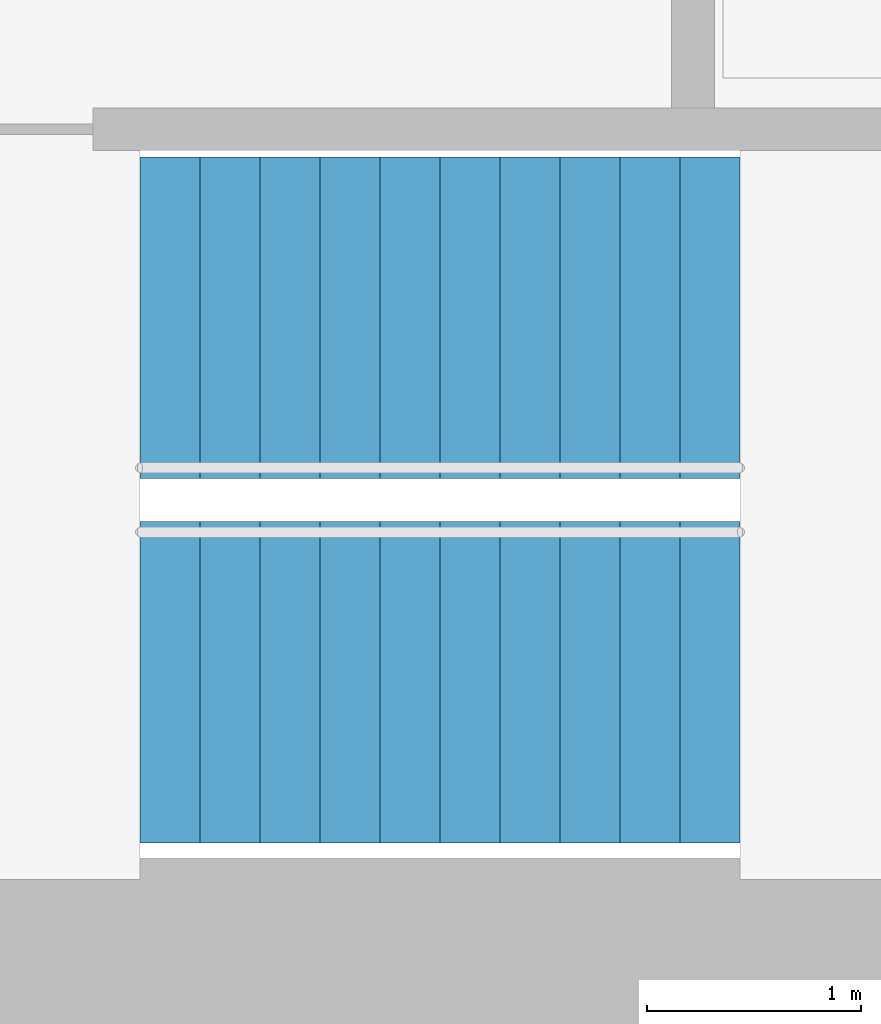
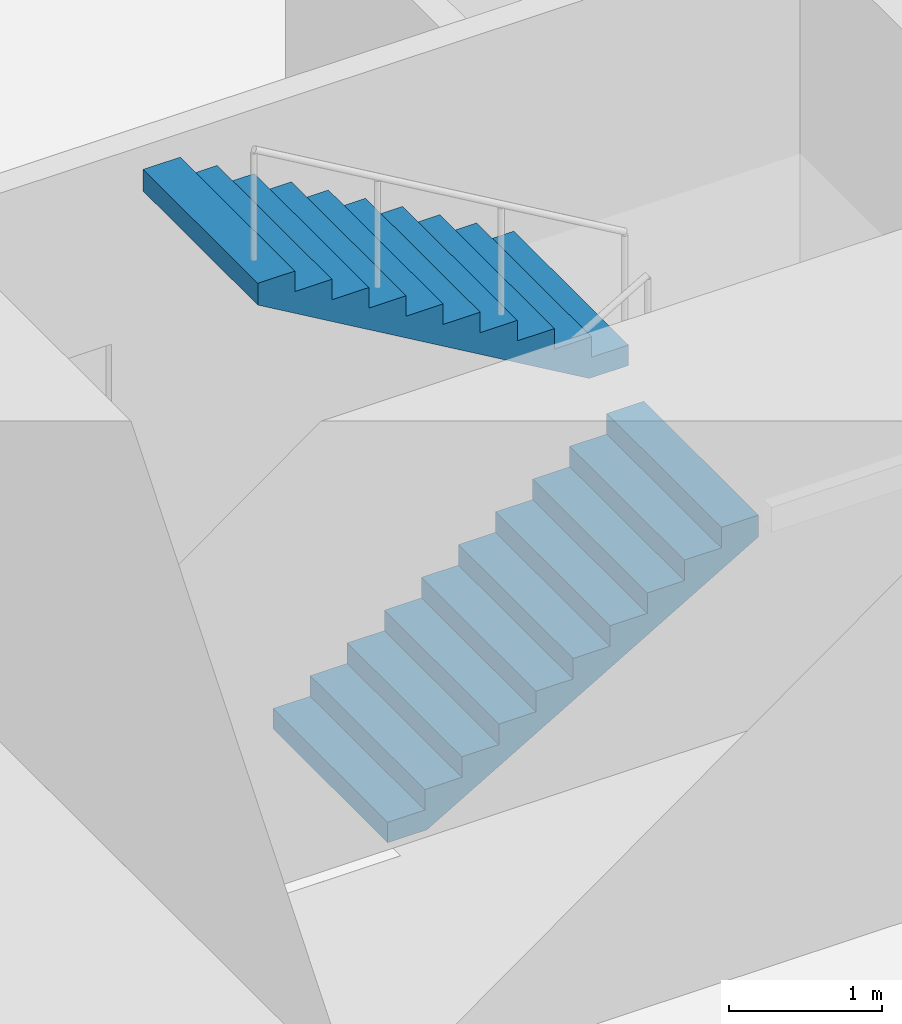
# One storey, part 14 of 17: 2 stair flights, 1 element without a shape of its own.
"""IFC4 building model written with IfcOpenShell, lengths in metres."""

import ifcopenshell
import ifcopenshell.guid

model = None  # the IFC model being written
_history = None  # IfcOwnerHistory: only IFC2X3 demands one
_inside = {}  # id of a spatial element -> (the spatial element, [elements in it])
_under = {}  # id of a project, library or spatial element -> (it, [spatial elements below it])
_declared = {}  # id of a project -> (the project, [libraries it declares])
_typed = {}  # id of a type object -> (the type object, [elements of that type])
_made_of = {}  # id of a material, layer set ... -> (it, [elements and type objects made of it])


def new_model(schema):
    """Start an empty IFC model of exactly this schema.

    Asked for "IFC4X3", IfcOpenShell would pick the latest addendum, in which some entities
    have other attributes; the version numbers below select the first issue.
    IFC2X3 requires an IfcOwnerHistory on every rooted entity: one is made here for all.
    """
    global model, _history
    if schema == "IFC4X3":
        model = ifcopenshell.file(schema_version=(4, 3, 0, 0))
    else:
        model = ifcopenshell.file(schema=schema)
    _inside.clear()
    _under.clear()
    _declared.clear()
    _typed.clear()
    _made_of.clear()
    _history = None
    if model.schema == "IFC2X3":
        org = make("IfcOrganization", Name="unknown")
        user = make(
            "IfcPersonAndOrganization",
            ThePerson=make("IfcPerson", FamilyName="unknown"),
            TheOrganization=org,
        )
        app = make(
            "IfcApplication",
            ApplicationDeveloper=org,
            Version="unknown",
            ApplicationFullName="unknown",
            ApplicationIdentifier="unknown",
        )
        _history = make(
            "IfcOwnerHistory",
            OwningUser=user,
            OwningApplication=app,
            ChangeAction="ADDED",
            CreationDate=0,
        )
    return model


def make(cls, **values):
    """One entity of the class cls with the attributes given. An attribute that is None is left unset."""
    return model.create_entity(
        cls, **{name: value for name, value in values.items() if value is not None}
    )


def rooted(cls, **values):
    """An entity with a GlobalId (a new one), such as an element, a storey or a relation."""
    return make(cls, GlobalId=ifcopenshell.guid.new(), OwnerHistory=_history, **values)


def si_unit(unit_type, name, prefix=None):
    """IfcSIUnit, for example si_unit("LENGTHUNIT", "METRE", prefix="MILLI")."""
    return make("IfcSIUnit", UnitType=unit_type, Prefix=prefix, Name=name)


def assignment(units):
    """IfcUnitAssignment: the units of a project."""
    return None if units is None else make("IfcUnitAssignment", Units=units)


def point(xyz):
    """IfcCartesianPoint."""
    return None if xyz is None else make("IfcCartesianPoint", Coordinates=xyz)


def direction(xyz):
    """IfcDirection."""
    return None if xyz is None else make("IfcDirection", DirectionRatios=xyz)


def frame(location, z_axis=None, x_axis=None):
    """IfcAxis2Placement3D, a coordinate frame: its origin and axes. An axis left out is left unset."""
    return make(
        "IfcAxis2Placement3D",
        Location=point(location),
        Axis=direction(z_axis),
        RefDirection=direction(x_axis),
    )


def origin():
    """The frame at (0, 0, 0) with its axes left unset."""
    return frame((0.0, 0.0, 0.0))


def place(relative_to, where):
    """IfcLocalPlacement: puts the frame where relative to a parent placement (None: the world)."""
    return make(
        "IfcLocalPlacement", PlacementRelTo=relative_to, RelativePlacement=where
    )


def context(
    kind, dimensions, precision=None, world=None, true_north=None, identifier=None
):
    """IfcGeometricRepresentationContext, for example the 3D "Model" context."""
    return make(
        "IfcGeometricRepresentationContext",
        ContextIdentifier=identifier,
        ContextType=kind,
        CoordinateSpaceDimension=dimensions,
        Precision=precision,
        WorldCoordinateSystem=world,
        TrueNorth=true_north,
    )


def subcontext(parent, identifier, kind, view, scale=None):
    """IfcGeometricRepresentationSubContext, for example "Body" below "Model"."""
    return make(
        "IfcGeometricRepresentationSubContext",
        ContextIdentifier=identifier,
        ContextType=kind,
        ParentContext=parent,
        TargetScale=scale,
        TargetView=view,
    )


def project(units=None, contexts=None):
    """IfcProject with its units and contexts."""
    return rooted(
        "IfcProject",
        Name="project",
        RepresentationContexts=contexts,
        UnitsInContext=assignment(units),
    )


def spatial(cls, under=None, at=None, **own):
    """A site, building, storey or space (cls), placed at a placement, below another one or the project."""
    s = rooted(cls, ObjectPlacement=at, **own)
    if under is not None:
        _under.setdefault(under.id(), (under, []))[1].append(s)
    return s


def point_list(points):
    """IfcCartesianPointList2D or 3D."""
    cls = (
        "IfcCartesianPointList2D" if len(points[0]) == 2 else "IfcCartesianPointList3D"
    )
    return make(cls, CoordList=points)


def triangles(points, corners, closed=None, point_numbers=None):
    """IfcTriangulatedFaceSet: each triangle names its three corners, points numbered from 1."""
    return make(
        "IfcTriangulatedFaceSet",
        Coordinates=point_list(points),
        Closed=closed,
        CoordIndex=corners,
        PnIndex=point_numbers,
    )


def shape(context_of_items, identifier, shape_type, items):
    """IfcShapeRepresentation: the items that make up one representation, for example the "Body"."""
    return make(
        "IfcShapeRepresentation",
        ContextOfItems=context_of_items,
        RepresentationIdentifier=identifier,
        RepresentationType=shape_type,
        Items=items,
    )


def material(Name=None, Category=None):
    """IfcMaterial."""
    return make("IfcMaterial", Name=Name, Category=Category)


def made_of(thing, what):
    """Note that an element or type object is made of a material, layer set ...; save() writes the relation."""
    if what is not None:
        _made_of.setdefault(what.id(), (what, []))[1].append(thing)
    return thing


def type_object(cls, material=None, **own):
    """A type object (cls), such as IfcWallType, which elements share."""
    return made_of(rooted(cls, **own), material)


def element(
    cls,
    number,
    at=None,
    inside=None,
    cuts=None,
    type_object=None,
    material=None,
    context=None,
    identifier="Body",
    shape_type=None,
    held_by="IfcProductDefinitionShape",
    body=None,
    shapes=None,
    **own,
):
    """One element of the class cls, such as IfcWall. Its Tag is "e" and its number.

    at: its placement. inside: the storey or other place that contains it. cuts: it is an
    opening in that element (IfcRelVoidsElement). A single representation is given by context,
    identifier, shape_type and body (its items); several are given by shapes. held_by: the class
    of the entity that holds the representations. save() writes the other relations.
    """
    e = rooted(cls, Tag="e%d" % number, ObjectPlacement=at, **own)
    if body is not None:
        shapes = [shape(context, identifier, shape_type, body)]
    if shapes is not None:
        e.Representation = make(held_by, Representations=shapes)
    if inside is not None:
        _inside.setdefault(inside.id(), (inside, []))[1].append(e)
    if cuts is not None:
        rooted(
            "IfcRelVoidsElement", RelatingBuildingElement=cuts, RelatedOpeningElement=e
        )
    if type_object is not None:
        _typed.setdefault(type_object.id(), (type_object, []))[1].append(e)
    return made_of(e, material)


def aggregate(whole, parts):
    """IfcRelAggregates: a whole, such as a stair, and the parts it consists of."""
    return rooted("IfcRelAggregates", RelatingObject=whole, RelatedObjects=parts)


def save(model, path):
    """Write the relations noted so far, then the file.

    IfcRelAggregates (storeys below a building ...), IfcRelContainedInSpatialStructure (elements
    in a storey), IfcRelDefinesByType, IfcRelAssociatesMaterial and IfcRelDeclares: one each for
    every whole, place, type object, material and project.
    """
    for whole, parts in _under.values():
        aggregate(whole, parts)
    for where, things in _inside.values():
        rooted(
            "IfcRelContainedInSpatialStructure",
            RelatedElements=things,
            RelatingStructure=where,
        )
    for kind, things in _typed.values():
        rooted("IfcRelDefinesByType", RelatedObjects=things, RelatingType=kind)
    for what, things in _made_of.values():
        rooted("IfcRelAssociatesMaterial", RelatedObjects=things, RelatingMaterial=what)
    for by, libraries in _declared.values():
        rooted("IfcRelDeclares", RelatingContext=by, RelatedDefinitions=libraries)
    model.write(path)


model = new_model("IFC4")

# Units and contexts
model_context = context("Model", 3, precision=1e-05, world=origin(), true_north=direction((0.0, 1.0)))
body_context = subcontext(model_context, "Body", "Model", "MODEL_VIEW")
ifc_project = project(units=[si_unit("LENGTHUNIT", "METRE"), si_unit("AREAUNIT", "SQUARE_METRE"), si_unit("VOLUMEUNIT", "CUBIC_METRE"), si_unit("PLANEANGLEUNIT", "RADIAN"), si_unit("MASSUNIT", "GRAM", prefix="KILO")], contexts=[model_context])

# Site, building, storey
site_placement = place(None, origin())
site = spatial("IfcSite", under=ifc_project, at=site_placement, CompositionType="ELEMENT")
building_placement = place(site_placement, origin())
building = spatial("IfcBuilding", under=site, at=building_placement, Name="Lantaw Convention Tower", CompositionType="ELEMENT")
storey_placement = place(building_placement, frame((0.0, 0.0, 40.60009765625)))
storey = spatial("IfcBuildingStorey", under=building, at=storey_placement, Name="L07", CompositionType="ELEMENT", Elevation=40.60009765625)

# Stair, stair flights
ifc_material = material(Name="Concrete C35/45", Category="concrete")
stair_type = type_object("IfcStairType", Name="Exit stair 1500 riser 163.64 in 2 flights", PredefinedType="HALF_TURN_STAIR", material=ifc_material)
stair_placement = place(storey_placement, origin())
stair = element("IfcStair", 1, at=stair_placement, inside=storey, type_object=stair_type, Name="Exit stair S1 L07", PredefinedType="HALF_TURN_STAIR")
stair_flight_type = type_object("IfcStairFlightType", Name="Stair flight 1500 riser 163.64", PredefinedType="STRAIGHT", material=ifc_material)
stair_flight_1_placement = place(storey_placement, frame((-10.580078125, -5.97998046875, 0.0), z_axis=(0.0, 0.0, 1.0), x_axis=(1.0, 0.0, 0.0)))
stair_flight_1 = element("IfcStairFlight", 2, at=stair_flight_1_placement, type_object=stair_flight_type, Name="S1 flight 1", NumberOfRisers=11, NumberOfTreads=10, PredefinedType="STRAIGHT", RiserHeight=0.163636364, TreadLength=0.28, context=body_context, shape_type="Tessellation", body=[
    triangles([(0.0, 0.75, 0.0), (0.0, 0.75, 0.163636364), (0.28, 0.75, 0.0), (0.28, 0.75, 0.163636364), (0.28, 0.75, 0.327272728), (0.2970904571225277, 0.75, 0.0), (0.2970904571225277, 0.75, 0.327272728), (0.56, 0.75, 0.1536484344906131), (0.56, 0.75, 0.327272728), (0.56, 0.75, 0.490909092), (0.8400000000000001, 0.75, 0.3172847984906131), (0.8400000000000001, 0.75, 0.490909092), (0.8400000000000001, 0.75, 0.654545456), (1.12, 0.75, 0.4809211624906131), (1.12, 0.75, 0.654545456), (1.12, 0.75, 0.8181818200000001), (1.4000000000000001, 0.75, 0.6445575264906132), (1.4000000000000001, 0.75, 0.8181818200000001), (1.4000000000000001, 0.75, 0.981818184), (1.6800000000000002, 0.75, 0.8081938904906131), (1.6800000000000002, 0.75, 0.981818184), (1.6800000000000002, 0.75, 1.145454548), (1.9600000000000002, 0.75, 0.9718302544906131), (1.9600000000000002, 0.75, 1.145454548), (1.9600000000000002, 0.75, 1.309090912), (2.24, 0.75, 1.135466618490613), (2.24, 0.75, 1.309090912), (2.24, 0.75, 1.472727276), (2.5200000000000005, 0.75, 1.2991029824906133), (2.5200000000000005, 0.75, 1.472727276), (2.5200000000000005, 0.75, 1.6363636400000001), (2.8000000000000003, 0.75, 1.462739346490613), (2.8000000000000003, 0.75, 1.6363636400000001), (0.0, -0.75, 0.0), (0.0, -0.75, 0.163636364), (0.28, -0.75, 0.0), (0.28, -0.75, 0.163636364), (0.28, -0.75, 0.327272728), (0.2970904571225277, -0.75, 0.0), (0.2970904571225277, -0.75, 0.327272728), (0.56, -0.75, 0.1536484344906131), (0.56, -0.75, 0.327272728), (0.56, -0.75, 0.490909092), (0.8400000000000001, -0.75, 0.3172847984906131), (0.8400000000000001, -0.75, 0.490909092), (0.8400000000000001, -0.75, 0.654545456), (1.12, -0.75, 0.4809211624906131), (1.12, -0.75, 0.654545456), (1.12, -0.75, 0.8181818200000001), (1.4000000000000001, -0.75, 0.6445575264906132), (1.4000000000000001, -0.75, 0.8181818200000001), (1.4000000000000001, -0.75, 0.981818184), (1.6800000000000002, -0.75, 0.8081938904906131), (1.6800000000000002, -0.75, 0.981818184), (1.6800000000000002, -0.75, 1.145454548), (1.9600000000000002, -0.75, 0.9718302544906131), (1.9600000000000002, -0.75, 1.145454548), (1.9600000000000002, -0.75, 1.309090912), (2.24, -0.75, 1.135466618490613), (2.24, -0.75, 1.309090912), (2.24, -0.75, 1.472727276), (2.5200000000000005, -0.75, 1.2991029824906133), (2.5200000000000005, -0.75, 1.472727276), (2.5200000000000005, -0.75, 1.6363636400000001), (2.8000000000000003, -0.75, 1.462739346490613), (2.8000000000000003, -0.75, 1.6363636400000001), (0.0, 0.15000000000000002, 0.163636364), (0.0, 0.15000000000000002, 0.0), (0.0, 0.0, 0.163636364), (0.0, 0.0, 0.0), (0.0, -0.15000000000000002, 0.163636364), (0.0, -0.15000000000000002, 0.0), (0.28, 0.15000000000000002, 0.327272728), (0.28, 0.15000000000000002, 0.163636364), (0.28, 0.0, 0.327272728), (0.28, 0.0, 0.163636364), (0.28, -0.15000000000000002, 0.327272728), (0.28, -0.15000000000000002, 0.163636364), (0.56, 0.15000000000000002, 0.490909092), (0.56, 0.15000000000000002, 0.327272728), (0.56, 0.0, 0.490909092), (0.56, 0.0, 0.327272728), (0.56, -0.15000000000000002, 0.490909092), (0.56, -0.15000000000000002, 0.327272728), (0.8400000000000001, 0.15000000000000002, 0.654545456), (0.8400000000000001, 0.15000000000000002, 0.490909092), (0.8400000000000001, 0.0, 0.654545456), (0.8400000000000001, 0.0, 0.490909092), (0.8400000000000001, -0.15000000000000002, 0.654545456), (0.8400000000000001, -0.15000000000000002, 0.490909092), (1.12, 0.15000000000000002, 0.8181818200000001), (1.12, 0.15000000000000002, 0.654545456), (1.12, 0.0, 0.8181818200000001), (1.12, 0.0, 0.654545456), (1.12, -0.15000000000000002, 0.8181818200000001), (1.12, -0.15000000000000002, 0.654545456), (1.4000000000000001, 0.15000000000000002, 0.981818184), (1.4000000000000001, 0.15000000000000002, 0.8181818200000001), (1.4000000000000001, 0.0, 0.981818184), (1.4000000000000001, 0.0, 0.8181818200000001), (1.4000000000000001, -0.15000000000000002, 0.981818184), (1.4000000000000001, -0.15000000000000002, 0.8181818200000001), (1.6800000000000002, 0.15000000000000002, 1.145454548), (1.6800000000000002, 0.15000000000000002, 0.981818184), (1.6800000000000002, 0.0, 1.145454548), (1.6800000000000002, 0.0, 0.981818184), (1.6800000000000002, -0.15000000000000002, 1.145454548), (1.6800000000000002, -0.15000000000000002, 0.981818184), (1.9600000000000002, 0.15000000000000002, 1.309090912), (1.9600000000000002, 0.15000000000000002, 1.145454548), (1.9600000000000002, 0.0, 1.309090912), (1.9600000000000002, 0.0, 1.145454548), (1.9600000000000002, -0.15000000000000002, 1.309090912), (1.9600000000000002, -0.15000000000000002, 1.145454548), (2.24, 0.15000000000000002, 1.472727276), (2.24, 0.15000000000000002, 1.309090912), (2.24, 0.0, 1.472727276), (2.24, 0.0, 1.309090912), (2.24, -0.15000000000000002, 1.472727276), (2.24, -0.15000000000000002, 1.309090912), (2.5200000000000005, 0.15000000000000002, 1.6363636400000001), (2.5200000000000005, 0.15000000000000002, 1.472727276), (2.5200000000000005, 0.0, 1.6363636400000001), (2.5200000000000005, 0.0, 1.472727276), (2.5200000000000005, -0.15000000000000002, 1.6363636400000001), (2.5200000000000005, -0.15000000000000002, 1.472727276), (0.2970904571225277, 0.15000000000000002, 0.327272728), (0.2970904571225277, 0.0, 0.327272728), (0.2970904571225277, -0.15000000000000002, 0.327272728), (2.8000000000000003, 0.15000000000000002, 1.6363636400000001), (2.8000000000000003, 0.0, 1.6363636400000001), (2.8000000000000003, -0.15000000000000002, 1.6363636400000001), (2.8000000000000003, 0.15000000000000002, 1.462739346490613), (2.8000000000000003, 0.0, 1.462739346490613), (2.8000000000000003, -0.15000000000000002, 1.462739346490613), (2.5200000000000005, 0.15000000000000002, 1.2991029824906133), (2.5200000000000005, 0.0, 1.2991029824906133), (2.5200000000000005, -0.15000000000000002, 1.2991029824906133), (2.24, 0.15000000000000002, 1.135466618490613), (2.24, 0.0, 1.135466618490613), (2.24, -0.15000000000000002, 1.135466618490613), (1.9600000000000002, 0.15000000000000002, 0.9718302544906131), (1.9600000000000002, 0.0, 0.9718302544906131), (1.9600000000000002, -0.15000000000000002, 0.9718302544906131), (1.6800000000000002, 0.15000000000000002, 0.8081938904906131), (1.6800000000000002, 0.0, 0.8081938904906131), (1.6800000000000002, -0.15000000000000002, 0.8081938904906131), (1.4000000000000001, 0.15000000000000002, 0.6445575264906132), (1.4000000000000001, 0.0, 0.6445575264906132), (1.4000000000000001, -0.15000000000000002, 0.6445575264906132), (1.12, 0.15000000000000002, 0.4809211624906131), (1.12, 0.0, 0.4809211624906131), (1.12, -0.15000000000000002, 0.4809211624906131), (0.8400000000000001, 0.15000000000000002, 0.3172847984906131), (0.8400000000000001, 0.0, 0.3172847984906131), (0.8400000000000001, -0.15000000000000002, 0.3172847984906131), (0.56, 0.15000000000000002, 0.1536484344906131), (0.56, 0.0, 0.1536484344906131), (0.56, -0.15000000000000002, 0.1536484344906131), (0.2970904571225277, 0.15000000000000002, 0.0), (0.2970904571225277, 0.0, 0.0), (0.2970904571225277, -0.15000000000000002, 0.0), (0.28, 0.15000000000000002, 0.0), (0.28, 0.0, 0.0), (0.28, -0.15000000000000002, 0.0)], [[1, 4, 3], [1, 2, 4], [3, 4, 6], [4, 7, 6], [4, 5, 7], [6, 9, 8], [6, 7, 9], [8, 9, 11], [9, 12, 11], [9, 10, 12], [11, 12, 14], [12, 15, 14], [12, 13, 15], [14, 15, 17], [15, 18, 17], [15, 16, 18], [17, 18, 20], [18, 21, 20], [18, 19, 21], [20, 21, 23], [21, 24, 23], [21, 22, 24], [23, 24, 26], [24, 27, 26], [24, 25, 27], [26, 27, 29], [27, 30, 29], [27, 28, 30], [29, 30, 32], [30, 33, 32], [30, 31, 33], [34, 36, 37], [34, 37, 35], [36, 39, 37], [37, 39, 40], [37, 40, 38], [39, 41, 42], [39, 42, 40], [41, 44, 42], [42, 44, 45], [42, 45, 43], [44, 47, 45], [45, 47, 48], [45, 48, 46], [47, 50, 48], [48, 50, 51], [48, 51, 49], [50, 53, 51], [51, 53, 54], [51, 54, 52], [53, 56, 54], [54, 56, 57], [54, 57, 55], [56, 59, 57], [57, 59, 60], [57, 60, 58], [59, 62, 60], [60, 62, 63], [60, 63, 61], [62, 65, 63], [63, 65, 66], [63, 66, 64], [1, 67, 2], [1, 68, 67], [68, 69, 67], [68, 70, 69], [70, 71, 69], [70, 72, 71], [72, 35, 71], [72, 34, 35], [4, 73, 5], [4, 74, 73], [74, 75, 73], [74, 76, 75], [76, 77, 75], [76, 78, 77], [78, 38, 77], [78, 37, 38], [9, 79, 10], [9, 80, 79], [80, 81, 79], [80, 82, 81], [82, 83, 81], [82, 84, 83], [84, 43, 83], [84, 42, 43], [12, 85, 13], [12, 86, 85], [86, 87, 85], [86, 88, 87], [88, 89, 87], [88, 90, 89], [90, 46, 89], [90, 45, 46], [15, 91, 16], [15, 92, 91], [92, 93, 91], [92, 94, 93], [94, 95, 93], [94, 96, 95], [96, 49, 95], [96, 48, 49], [18, 97, 19], [18, 98, 97], [98, 99, 97], [98, 100, 99], [100, 101, 99], [100, 102, 101], [102, 52, 101], [102, 51, 52], [21, 103, 22], [21, 104, 103], [104, 105, 103], [104, 106, 105], [106, 107, 105], [106, 108, 107], [108, 55, 107], [108, 54, 55], [24, 109, 25], [24, 110, 109], [110, 111, 109], [110, 112, 111], [112, 113, 111], [112, 114, 113], [114, 58, 113], [114, 57, 58], [27, 115, 28], [27, 116, 115], [116, 117, 115], [116, 118, 117], [118, 119, 117], [118, 120, 119], [120, 61, 119], [120, 60, 61], [30, 121, 31], [30, 122, 121], [122, 123, 121], [122, 124, 123], [124, 125, 123], [124, 126, 125], [126, 64, 125], [126, 63, 64], [2, 74, 4], [2, 67, 74], [67, 76, 74], [67, 69, 76], [69, 78, 76], [69, 71, 78], [71, 37, 78], [71, 35, 37], [5, 127, 7], [5, 73, 127], [73, 128, 127], [73, 75, 128], [75, 129, 128], [75, 77, 129], [77, 40, 129], [77, 38, 40], [7, 80, 9], [7, 127, 80], [127, 82, 80], [127, 128, 82], [128, 84, 82], [128, 129, 84], [129, 42, 84], [129, 40, 42], [10, 86, 12], [10, 79, 86], [79, 88, 86], [79, 81, 88], [81, 90, 88], [81, 83, 90], [83, 45, 90], [83, 43, 45], [13, 92, 15], [13, 85, 92], [85, 94, 92], [85, 87, 94], [87, 96, 94], [87, 89, 96], [89, 48, 96], [89, 46, 48], [16, 98, 18], [16, 91, 98], [91, 100, 98], [91, 93, 100], [93, 102, 100], [93, 95, 102], [95, 51, 102], [95, 49, 51], [19, 104, 21], [19, 97, 104], [97, 106, 104], [97, 99, 106], [99, 108, 106], [99, 101, 108], [101, 54, 108], [101, 52, 54], [22, 110, 24], [22, 103, 110], [103, 112, 110], [103, 105, 112], [105, 114, 112], [105, 107, 114], [107, 57, 114], [107, 55, 57], [25, 116, 27], [25, 109, 116], [109, 118, 116], [109, 111, 118], [111, 120, 118], [111, 113, 120], [113, 60, 120], [113, 58, 60], [28, 122, 30], [28, 115, 122], [115, 124, 122], [115, 117, 124], [117, 126, 124], [117, 119, 126], [119, 63, 126], [119, 61, 63], [31, 130, 33], [31, 121, 130], [121, 131, 130], [121, 123, 131], [123, 132, 131], [123, 125, 132], [125, 66, 132], [125, 64, 66], [33, 133, 32], [33, 130, 133], [130, 134, 133], [130, 131, 134], [131, 135, 134], [131, 132, 135], [132, 65, 135], [132, 66, 65], [32, 136, 29], [32, 133, 136], [133, 137, 136], [133, 134, 137], [134, 138, 137], [134, 135, 138], [135, 62, 138], [135, 65, 62], [29, 139, 26], [29, 136, 139], [136, 140, 139], [136, 137, 140], [137, 141, 140], [137, 138, 141], [138, 59, 141], [138, 62, 59], [26, 142, 23], [26, 139, 142], [139, 143, 142], [139, 140, 143], [140, 144, 143], [140, 141, 144], [141, 56, 144], [141, 59, 56], [23, 145, 20], [23, 142, 145], [142, 146, 145], [142, 143, 146], [143, 147, 146], [143, 144, 147], [144, 53, 147], [144, 56, 53], [20, 148, 17], [20, 145, 148], [145, 149, 148], [145, 146, 149], [146, 150, 149], [146, 147, 150], [147, 50, 150], [147, 53, 50], [17, 151, 14], [17, 148, 151], [148, 152, 151], [148, 149, 152], [149, 153, 152], [149, 150, 153], [150, 47, 153], [150, 50, 47], [14, 154, 11], [14, 151, 154], [151, 155, 154], [151, 152, 155], [152, 156, 155], [152, 153, 156], [153, 44, 156], [153, 47, 44], [11, 157, 8], [11, 154, 157], [154, 158, 157], [154, 155, 158], [155, 159, 158], [155, 156, 159], [156, 41, 159], [156, 44, 41], [8, 160, 6], [8, 157, 160], [157, 161, 160], [157, 158, 161], [158, 162, 161], [158, 159, 162], [159, 39, 162], [159, 41, 39], [6, 163, 3], [6, 160, 163], [160, 164, 163], [160, 161, 164], [161, 165, 164], [161, 162, 165], [162, 36, 165], [162, 39, 36], [3, 68, 1], [3, 163, 68], [163, 70, 68], [163, 164, 70], [164, 72, 70], [164, 165, 72], [165, 34, 72], [165, 36, 34]], closed=True),
])
stair_flight_2_placement = place(storey_placement, frame((-7.780029296875, -4.280029296875, 1.7998046875), z_axis=(0.0, 0.0, 1.0), x_axis=(-1.0, 0.0, 0.0)))
stair_flight_2 = element("IfcStairFlight", 3, at=stair_flight_2_placement, type_object=stair_flight_type, Name="S1 flight 2", NumberOfRisers=11, NumberOfTreads=10, PredefinedType="STRAIGHT", RiserHeight=0.163636364, TreadLength=0.28, context=body_context, shape_type="Tessellation", body=[
    triangles([(0.0, 0.75, 0.0), (0.0, 0.75, 0.163636364), (0.28, 0.75, 0.0), (0.28, 0.75, 0.163636364), (0.28, 0.75, 0.327272728), (0.2970904571225277, 0.75, 0.0), (0.2970904571225277, 0.75, 0.327272728), (0.56, 0.75, 0.1536484344906131), (0.56, 0.75, 0.327272728), (0.56, 0.75, 0.490909092), (0.8400000000000001, 0.75, 0.3172847984906131), (0.8400000000000001, 0.75, 0.490909092), (0.8400000000000001, 0.75, 0.654545456), (1.12, 0.75, 0.4809211624906131), (1.12, 0.75, 0.654545456), (1.12, 0.75, 0.8181818200000001), (1.4000000000000001, 0.75, 0.6445575264906132), (1.4000000000000001, 0.75, 0.8181818200000001), (1.4000000000000001, 0.75, 0.981818184), (1.6800000000000002, 0.75, 0.8081938904906131), (1.6800000000000002, 0.75, 0.981818184), (1.6800000000000002, 0.75, 1.145454548), (1.9600000000000002, 0.75, 0.9718302544906131), (1.9600000000000002, 0.75, 1.145454548), (1.9600000000000002, 0.75, 1.309090912), (2.24, 0.75, 1.135466618490613), (2.24, 0.75, 1.309090912), (2.24, 0.75, 1.472727276), (2.5200000000000005, 0.75, 1.2991029824906133), (2.5200000000000005, 0.75, 1.472727276), (2.5200000000000005, 0.75, 1.6363636400000001), (2.8000000000000003, 0.75, 1.462739346490613), (2.8000000000000003, 0.75, 1.6363636400000001), (0.0, -0.75, 0.0), (0.0, -0.75, 0.163636364), (0.28, -0.75, 0.0), (0.28, -0.75, 0.163636364), (0.28, -0.75, 0.327272728), (0.2970904571225277, -0.75, 0.0), (0.2970904571225277, -0.75, 0.327272728), (0.56, -0.75, 0.1536484344906131), (0.56, -0.75, 0.327272728), (0.56, -0.75, 0.490909092), (0.8400000000000001, -0.75, 0.3172847984906131), (0.8400000000000001, -0.75, 0.490909092), (0.8400000000000001, -0.75, 0.654545456), (1.12, -0.75, 0.4809211624906131), (1.12, -0.75, 0.654545456), (1.12, -0.75, 0.8181818200000001), (1.4000000000000001, -0.75, 0.6445575264906132), (1.4000000000000001, -0.75, 0.8181818200000001), (1.4000000000000001, -0.75, 0.981818184), (1.6800000000000002, -0.75, 0.8081938904906131), (1.6800000000000002, -0.75, 0.981818184), (1.6800000000000002, -0.75, 1.145454548), (1.9600000000000002, -0.75, 0.9718302544906131), (1.9600000000000002, -0.75, 1.145454548), (1.9600000000000002, -0.75, 1.309090912), (2.24, -0.75, 1.135466618490613), (2.24, -0.75, 1.309090912), (2.24, -0.75, 1.472727276), (2.5200000000000005, -0.75, 1.2991029824906133), (2.5200000000000005, -0.75, 1.472727276), (2.5200000000000005, -0.75, 1.6363636400000001), (2.8000000000000003, -0.75, 1.462739346490613), (2.8000000000000003, -0.75, 1.6363636400000001), (0.0, 0.15000000000000002, 0.163636364), (0.0, 0.15000000000000002, 0.0), (0.0, 0.0, 0.163636364), (0.0, 0.0, 0.0), (0.0, -0.15000000000000002, 0.163636364), (0.0, -0.15000000000000002, 0.0), (0.28, 0.15000000000000002, 0.327272728), (0.28, 0.15000000000000002, 0.163636364), (0.28, 0.0, 0.327272728), (0.28, 0.0, 0.163636364), (0.28, -0.15000000000000002, 0.327272728), (0.28, -0.15000000000000002, 0.163636364), (0.56, 0.15000000000000002, 0.490909092), (0.56, 0.15000000000000002, 0.327272728), (0.56, 0.0, 0.490909092), (0.56, 0.0, 0.327272728), (0.56, -0.15000000000000002, 0.490909092), (0.56, -0.15000000000000002, 0.327272728), (0.8400000000000001, 0.15000000000000002, 0.654545456), (0.8400000000000001, 0.15000000000000002, 0.490909092), (0.8400000000000001, 0.0, 0.654545456), (0.8400000000000001, 0.0, 0.490909092), (0.8400000000000001, -0.15000000000000002, 0.654545456), (0.8400000000000001, -0.15000000000000002, 0.490909092), (1.12, 0.15000000000000002, 0.8181818200000001), (1.12, 0.15000000000000002, 0.654545456), (1.12, 0.0, 0.8181818200000001), (1.12, 0.0, 0.654545456), (1.12, -0.15000000000000002, 0.8181818200000001), (1.12, -0.15000000000000002, 0.654545456), (1.4000000000000001, 0.15000000000000002, 0.981818184), (1.4000000000000001, 0.15000000000000002, 0.8181818200000001), (1.4000000000000001, 0.0, 0.981818184), (1.4000000000000001, 0.0, 0.8181818200000001), (1.4000000000000001, -0.15000000000000002, 0.981818184), (1.4000000000000001, -0.15000000000000002, 0.8181818200000001), (1.6800000000000002, 0.15000000000000002, 1.145454548), (1.6800000000000002, 0.15000000000000002, 0.981818184), (1.6800000000000002, 0.0, 1.145454548), (1.6800000000000002, 0.0, 0.981818184), (1.6800000000000002, -0.15000000000000002, 1.145454548), (1.6800000000000002, -0.15000000000000002, 0.981818184), (1.9600000000000002, 0.15000000000000002, 1.309090912), (1.9600000000000002, 0.15000000000000002, 1.145454548), (1.9600000000000002, 0.0, 1.309090912), (1.9600000000000002, 0.0, 1.145454548), (1.9600000000000002, -0.15000000000000002, 1.309090912), (1.9600000000000002, -0.15000000000000002, 1.145454548), (2.24, 0.15000000000000002, 1.472727276), (2.24, 0.15000000000000002, 1.309090912), (2.24, 0.0, 1.472727276), (2.24, 0.0, 1.309090912), (2.24, -0.15000000000000002, 1.472727276), (2.24, -0.15000000000000002, 1.309090912), (2.5200000000000005, 0.15000000000000002, 1.6363636400000001), (2.5200000000000005, 0.15000000000000002, 1.472727276), (2.5200000000000005, 0.0, 1.6363636400000001), (2.5200000000000005, 0.0, 1.472727276), (2.5200000000000005, -0.15000000000000002, 1.6363636400000001), (2.5200000000000005, -0.15000000000000002, 1.472727276), (0.2970904571225277, 0.15000000000000002, 0.327272728), (0.2970904571225277, 0.0, 0.327272728), (0.2970904571225277, -0.15000000000000002, 0.327272728), (2.8000000000000003, 0.15000000000000002, 1.6363636400000001), (2.8000000000000003, 0.0, 1.6363636400000001), (2.8000000000000003, -0.15000000000000002, 1.6363636400000001), (2.8000000000000003, 0.15000000000000002, 1.462739346490613), (2.8000000000000003, 0.0, 1.462739346490613), (2.8000000000000003, -0.15000000000000002, 1.462739346490613), (2.5200000000000005, 0.15000000000000002, 1.2991029824906133), (2.5200000000000005, 0.0, 1.2991029824906133), (2.5200000000000005, -0.15000000000000002, 1.2991029824906133), (2.24, 0.15000000000000002, 1.135466618490613), (2.24, 0.0, 1.135466618490613), (2.24, -0.15000000000000002, 1.135466618490613), (1.9600000000000002, 0.15000000000000002, 0.9718302544906131), (1.9600000000000002, 0.0, 0.9718302544906131), (1.9600000000000002, -0.15000000000000002, 0.9718302544906131), (1.6800000000000002, 0.15000000000000002, 0.8081938904906131), (1.6800000000000002, 0.0, 0.8081938904906131), (1.6800000000000002, -0.15000000000000002, 0.8081938904906131), (1.4000000000000001, 0.15000000000000002, 0.6445575264906132), (1.4000000000000001, 0.0, 0.6445575264906132), (1.4000000000000001, -0.15000000000000002, 0.6445575264906132), (1.12, 0.15000000000000002, 0.4809211624906131), (1.12, 0.0, 0.4809211624906131), (1.12, -0.15000000000000002, 0.4809211624906131), (0.8400000000000001, 0.15000000000000002, 0.3172847984906131), (0.8400000000000001, 0.0, 0.3172847984906131), (0.8400000000000001, -0.15000000000000002, 0.3172847984906131), (0.56, 0.15000000000000002, 0.1536484344906131), (0.56, 0.0, 0.1536484344906131), (0.56, -0.15000000000000002, 0.1536484344906131), (0.2970904571225277, 0.15000000000000002, 0.0), (0.2970904571225277, 0.0, 0.0), (0.2970904571225277, -0.15000000000000002, 0.0), (0.28, 0.15000000000000002, 0.0), (0.28, 0.0, 0.0), (0.28, -0.15000000000000002, 0.0)], [[1, 4, 3], [1, 2, 4], [3, 4, 6], [4, 7, 6], [4, 5, 7], [6, 9, 8], [6, 7, 9], [8, 9, 11], [9, 12, 11], [9, 10, 12], [11, 12, 14], [12, 15, 14], [12, 13, 15], [14, 15, 17], [15, 18, 17], [15, 16, 18], [17, 18, 20], [18, 21, 20], [18, 19, 21], [20, 21, 23], [21, 24, 23], [21, 22, 24], [23, 24, 26], [24, 27, 26], [24, 25, 27], [26, 27, 29], [27, 30, 29], [27, 28, 30], [29, 30, 32], [30, 33, 32], [30, 31, 33], [34, 36, 37], [34, 37, 35], [36, 39, 37], [37, 39, 40], [37, 40, 38], [39, 41, 42], [39, 42, 40], [41, 44, 42], [42, 44, 45], [42, 45, 43], [44, 47, 45], [45, 47, 48], [45, 48, 46], [47, 50, 48], [48, 50, 51], [48, 51, 49], [50, 53, 51], [51, 53, 54], [51, 54, 52], [53, 56, 54], [54, 56, 57], [54, 57, 55], [56, 59, 57], [57, 59, 60], [57, 60, 58], [59, 62, 60], [60, 62, 63], [60, 63, 61], [62, 65, 63], [63, 65, 66], [63, 66, 64], [1, 67, 2], [1, 68, 67], [68, 69, 67], [68, 70, 69], [70, 71, 69], [70, 72, 71], [72, 35, 71], [72, 34, 35], [4, 73, 5], [4, 74, 73], [74, 75, 73], [74, 76, 75], [76, 77, 75], [76, 78, 77], [78, 38, 77], [78, 37, 38], [9, 79, 10], [9, 80, 79], [80, 81, 79], [80, 82, 81], [82, 83, 81], [82, 84, 83], [84, 43, 83], [84, 42, 43], [12, 85, 13], [12, 86, 85], [86, 87, 85], [86, 88, 87], [88, 89, 87], [88, 90, 89], [90, 46, 89], [90, 45, 46], [15, 91, 16], [15, 92, 91], [92, 93, 91], [92, 94, 93], [94, 95, 93], [94, 96, 95], [96, 49, 95], [96, 48, 49], [18, 97, 19], [18, 98, 97], [98, 99, 97], [98, 100, 99], [100, 101, 99], [100, 102, 101], [102, 52, 101], [102, 51, 52], [21, 103, 22], [21, 104, 103], [104, 105, 103], [104, 106, 105], [106, 107, 105], [106, 108, 107], [108, 55, 107], [108, 54, 55], [24, 109, 25], [24, 110, 109], [110, 111, 109], [110, 112, 111], [112, 113, 111], [112, 114, 113], [114, 58, 113], [114, 57, 58], [27, 115, 28], [27, 116, 115], [116, 117, 115], [116, 118, 117], [118, 119, 117], [118, 120, 119], [120, 61, 119], [120, 60, 61], [30, 121, 31], [30, 122, 121], [122, 123, 121], [122, 124, 123], [124, 125, 123], [124, 126, 125], [126, 64, 125], [126, 63, 64], [2, 74, 4], [2, 67, 74], [67, 76, 74], [67, 69, 76], [69, 78, 76], [69, 71, 78], [71, 37, 78], [71, 35, 37], [5, 127, 7], [5, 73, 127], [73, 128, 127], [73, 75, 128], [75, 129, 128], [75, 77, 129], [77, 40, 129], [77, 38, 40], [7, 80, 9], [7, 127, 80], [127, 82, 80], [127, 128, 82], [128, 84, 82], [128, 129, 84], [129, 42, 84], [129, 40, 42], [10, 86, 12], [10, 79, 86], [79, 88, 86], [79, 81, 88], [81, 90, 88], [81, 83, 90], [83, 45, 90], [83, 43, 45], [13, 92, 15], [13, 85, 92], [85, 94, 92], [85, 87, 94], [87, 96, 94], [87, 89, 96], [89, 48, 96], [89, 46, 48], [16, 98, 18], [16, 91, 98], [91, 100, 98], [91, 93, 100], [93, 102, 100], [93, 95, 102], [95, 51, 102], [95, 49, 51], [19, 104, 21], [19, 97, 104], [97, 106, 104], [97, 99, 106], [99, 108, 106], [99, 101, 108], [101, 54, 108], [101, 52, 54], [22, 110, 24], [22, 103, 110], [103, 112, 110], [103, 105, 112], [105, 114, 112], [105, 107, 114], [107, 57, 114], [107, 55, 57], [25, 116, 27], [25, 109, 116], [109, 118, 116], [109, 111, 118], [111, 120, 118], [111, 113, 120], [113, 60, 120], [113, 58, 60], [28, 122, 30], [28, 115, 122], [115, 124, 122], [115, 117, 124], [117, 126, 124], [117, 119, 126], [119, 63, 126], [119, 61, 63], [31, 130, 33], [31, 121, 130], [121, 131, 130], [121, 123, 131], [123, 132, 131], [123, 125, 132], [125, 66, 132], [125, 64, 66], [33, 133, 32], [33, 130, 133], [130, 134, 133], [130, 131, 134], [131, 135, 134], [131, 132, 135], [132, 65, 135], [132, 66, 65], [32, 136, 29], [32, 133, 136], [133, 137, 136], [133, 134, 137], [134, 138, 137], [134, 135, 138], [135, 62, 138], [135, 65, 62], [29, 139, 26], [29, 136, 139], [136, 140, 139], [136, 137, 140], [137, 141, 140], [137, 138, 141], [138, 59, 141], [138, 62, 59], [26, 142, 23], [26, 139, 142], [139, 143, 142], [139, 140, 143], [140, 144, 143], [140, 141, 144], [141, 56, 144], [141, 59, 56], [23, 145, 20], [23, 142, 145], [142, 146, 145], [142, 143, 146], [143, 147, 146], [143, 144, 147], [144, 53, 147], [144, 56, 53], [20, 148, 17], [20, 145, 148], [145, 149, 148], [145, 146, 149], [146, 150, 149], [146, 147, 150], [147, 50, 150], [147, 53, 50], [17, 151, 14], [17, 148, 151], [148, 152, 151], [148, 149, 152], [149, 153, 152], [149, 150, 153], [150, 47, 153], [150, 50, 47], [14, 154, 11], [14, 151, 154], [151, 155, 154], [151, 152, 155], [152, 156, 155], [152, 153, 156], [153, 44, 156], [153, 47, 44], [11, 157, 8], [11, 154, 157], [154, 158, 157], [154, 155, 158], [155, 159, 158], [155, 156, 159], [156, 41, 159], [156, 44, 41], [8, 160, 6], [8, 157, 160], [157, 161, 160], [157, 158, 161], [158, 162, 161], [158, 159, 162], [159, 39, 162], [159, 41, 39], [6, 163, 3], [6, 160, 163], [160, 164, 163], [160, 161, 164], [161, 165, 164], [161, 162, 165], [162, 36, 165], [162, 39, 36], [3, 68, 1], [3, 163, 68], [163, 70, 68], [163, 164, 70], [164, 72, 70], [164, 165, 72], [165, 34, 72], [165, 36, 34]], closed=True),
])
aggregate(stair, [stair_flight_1, stair_flight_2])

save(model, "model.ifc")
